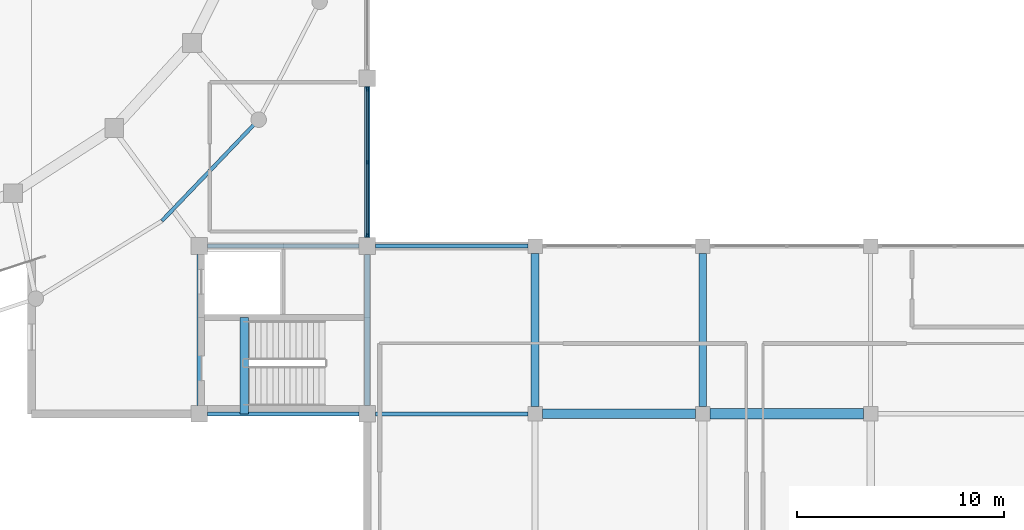
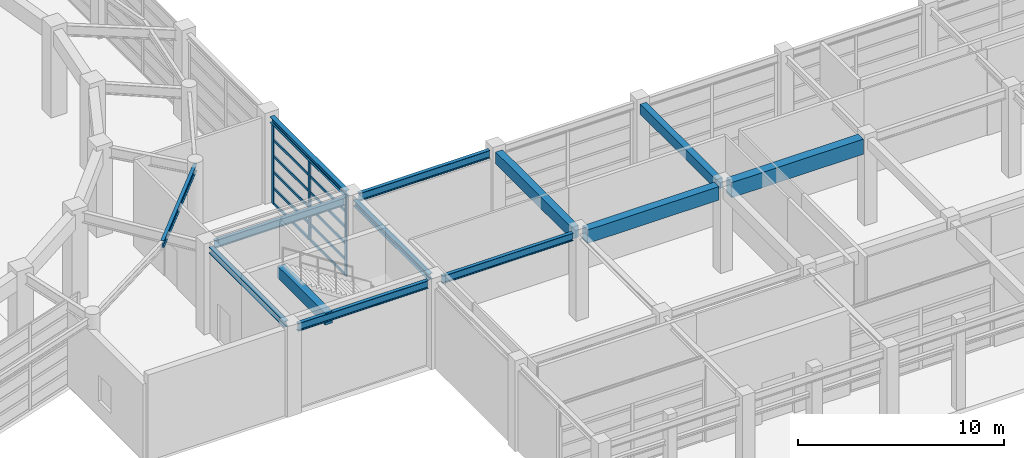
# One storey, part 10 of 52: 15 members, 13 beams, 1 element without a shape of its own.
"""IFC4 building model written with IfcOpenShell, lengths in metres."""

from ifc_helpers import new_model, si_unit, direction, frame, origin, origin_2d, place, context, subcontext, project, spatial, rectangle, i_section, extrude, material, material_profile, profile_set, type_object, element, aggregate, save


model = new_model("IFC4")

# Units and contexts
model_context = context("Model", 3, precision=1e-05, world=origin(), true_north=direction((0.0, 1.0)))
body_context = subcontext(model_context, "Body", "Model", "MODEL_VIEW")
ifc_project = project(units=[si_unit("LENGTHUNIT", "METRE"), si_unit("AREAUNIT", "SQUARE_METRE"), si_unit("VOLUMEUNIT", "CUBIC_METRE"), si_unit("PLANEANGLEUNIT", "RADIAN"), si_unit("MASSUNIT", "GRAM", prefix="KILO")], contexts=[model_context])

# Site, building, storey
site_placement = place(None, origin())
site = spatial("IfcSite", under=ifc_project, at=site_placement, CompositionType="ELEMENT")
building_placement = place(site_placement, origin())
building = spatial("IfcBuilding", under=site, at=building_placement, Name="Parian Resonance Hall", CompositionType="ELEMENT")
storey_placement = place(building_placement, origin())
storey = spatial("IfcBuildingStorey", under=building, at=storey_placement, Name="L00", CompositionType="ELEMENT", Elevation=0.0)

# Beams
ifc_material_1 = material(Name="Concrete C40/50", Category="concrete")
ifc_material_profile_1 = material_profile(ifc_material_1, rectangle(XDim=0.35009765625, YDim=0.60009765625, at=origin_2d()), Name="RC-BM-350x600")
ifc_profile_set_1 = profile_set([ifc_material_profile_1], Name="Concrete C40/50")
beam_type_1 = type_object("IfcBeamType", Name="BM-RC350x600", PredefinedType="BEAM", material=ifc_profile_set_1)
beam_1_placement = place(storey_placement, frame((89.10009765625, 16.550048828125, 4.800048828125), z_axis=(0.0, 1.0, 0.0), x_axis=(-1.0, 0.0, 0.0)))
element("IfcBeam", 1, at=beam_1_placement, inside=storey, type_object=beam_type_1, Name="GY-L00-0441", PredefinedType="BEAM", context=body_context, shape_type="SweptSolid", body=[
    extrude(rectangle(XDim=0.35009765625, YDim=0.60009765625, at=origin_2d()), origin(), (0.0, 0.0, 1.0), 7.39990234375),
])
ifc_material_2 = material(Name="Concrete C40/50", Category="concrete")
ifc_material_profile_2 = material_profile(ifc_material_2, rectangle(XDim=0.39990234375, YDim=0.699951171875, at=origin_2d()), Name="RC-BM-400x700")
ifc_profile_set_2 = profile_set([ifc_material_profile_2], Name="Concrete C40/50")
beam_type_2 = type_object("IfcBeamType", Name="BM-RC400x700", PredefinedType="BEAM", material=ifc_profile_set_2)
beam_2_placement = place(storey_placement, frame((81.0, 16.550048828125, 4.75), z_axis=(0.0, 1.0, 0.0), x_axis=(-1.0, 0.0, 0.0)))
element("IfcBeam", 2, at=beam_2_placement, inside=storey, type_object=beam_type_2, Name="GY-L00-0436", PredefinedType="BEAM", context=body_context, shape_type="SweptSolid", body=[
    extrude(rectangle(XDim=0.39990234375, YDim=0.699951171875, at=origin_2d()), origin(), (0.0, 0.0, 1.0), 7.39990234375),
])
beam_3_placement = place(storey_placement, frame((66.9599609375, 16.199951171875, 4.780029296875), z_axis=(0.0, 1.0, 0.0), x_axis=(-1.0, 0.0, 0.0)))
element("IfcBeam", 3, at=beam_3_placement, inside=storey, type_object=beam_type_2, Name="Core K3 stair arrival trimmer beam L00", PredefinedType="BEAM", context=body_context, shape_type="SweptSolid", body=[
    extrude(rectangle(XDim=0.39990234375, YDim=0.699951171875, at=origin_2d()), origin(), (0.0, 0.0, 1.0), 4.650146484375),
])
ifc_material_3 = material(Name="Concrete C40/50", Category="concrete")
ifc_material_profile_3 = material_profile(ifc_material_3, rectangle(XDim=0.449951171875, YDim=0.800048828125, at=origin_2d()), Name="RC-BM-450x800")
ifc_profile_set_3 = profile_set([ifc_material_profile_3], Name="Concrete C40/50")
beam_type_3 = type_object("IfcBeamType", Name="BM-RC450x800", PredefinedType="USERDEFINED", material=ifc_profile_set_3)
beam_4_placement = place(storey_placement, frame((81.35009765625, 16.199951171875, 4.699951171875), z_axis=(1.0, 0.0, 0.0), x_axis=(0.0, 1.0, 0.0)))
element("IfcBeam", 4, at=beam_4_placement, inside=storey, type_object=beam_type_3, Name="GX-L00-0318", ObjectType="GIRDER", PredefinedType="USERDEFINED", context=body_context, shape_type="SweptSolid", body=[
    extrude(rectangle(XDim=0.449951171875, YDim=0.800048828125, at=origin_2d()), origin(), (0.0, 0.0, 1.0), 7.39990234375),
])
ifc_material_4 = material(Name="Concrete C40/50", Category="concrete")
ifc_material_profile_4 = material_profile(ifc_material_4, rectangle(XDim=0.5, YDim=0.89990234375, at=origin_2d()), Name="RC-BM-500x900")
ifc_profile_set_4 = profile_set([ifc_material_profile_4], Name="Concrete C40/50")
beam_type_4 = type_object("IfcBeamType", Name="BM-RC500x900", PredefinedType="USERDEFINED", material=ifc_profile_set_4)
beam_5_placement = place(storey_placement, frame((89.449951171875, 16.199951171875, 4.64990234375), z_axis=(1.0, 0.0, 0.0), x_axis=(0.0, 1.0, 0.0)))
element("IfcBeam", 5, at=beam_5_placement, inside=storey, type_object=beam_type_4, Name="GX-L00-0325", ObjectType="GIRDER", PredefinedType="USERDEFINED", context=body_context, shape_type="SweptSolid", body=[
    extrude(rectangle(XDim=0.5, YDim=0.89990234375, at=origin_2d()), origin(), (0.0, 0.0, 1.0), 7.400146484375),
])
ifc_material_5 = material(Name="Steel S355", Category="steel")
ifc_material_profile_5 = material_profile(ifc_material_5, i_section(OverallWidth=0.2548828125, OverallDepth=0.35693359375, WebThickness=0.010498046875, FlangeThickness=0.018310546875, FilletRadius=0.01513671875, at=origin_2d()), Name="W360x101")
ifc_profile_set_5 = profile_set([ifc_material_profile_5], Name="Steel S355")
beam_type_5 = type_object("IfcBeamType", Name="BM-W360x101", PredefinedType="SPANDREL", material=ifc_profile_set_5)
for number, where, z_axis, x_axis, name in (
    (6, (64.800048828125, 16.60009765625, 4.951416015625), (0.0, 1.0, 0.0), (-1.0, 0.0, 0.0), "GY-L00-0424"),
    (7, (72.89990234375, 16.60009765625, 4.92138671875), (0.0, 1.0, 0.0), (-1.0, 0.0, 0.0), "GY-L00-0429"),
):
    element("IfcBeam", number, at=place(storey_placement, frame(where, z_axis=z_axis, x_axis=x_axis)), inside=storey, type_object=beam_type_5, Name=name, PredefinedType="SPANDREL", context=body_context, shape_type="SweptSolid", body=[
        extrude(i_section(OverallWidth=0.2548828125, OverallDepth=0.35693359375, WebThickness=0.010498046875, FlangeThickness=0.018310546875, FilletRadius=0.01513671875, at=origin_2d()), origin(), (0.0, 0.0, 1.0), 7.2998046875),
    ])
beam_6_placement = place(storey_placement, frame((72.89990234375, 24.699951171875, 4.951416015625), z_axis=(0.0, 1.0, 0.0), x_axis=(-1.0, 0.0, 0.0)))
element("IfcBeam", 8, at=beam_6_placement, inside=storey, type_object=beam_type_5, Name="GY-L00-0430", PredefinedType="SPANDREL", context=body_context, shape_type="SweptSolid", body=[
    extrude(i_section(OverallWidth=0.2548828125, OverallDepth=0.35693359375, WebThickness=0.010498046875, FlangeThickness=0.018310546875, FilletRadius=0.01513671875, at=origin_2d()), origin(), (0.0, 0.0, 1.0), 7.300048828125),
])
ifc_material_6 = material(Name="Steel S355", Category="steel")
ifc_material_profile_6 = material_profile(ifc_material_6, i_section(OverallWidth=0.180908203125, OverallDepth=0.4169921875, WebThickness=0.010986328125, FlangeThickness=0.018310546875, FilletRadius=0.01513671875, at=origin_2d()), Name="W410x85")
ifc_profile_set_6 = profile_set([ifc_material_profile_6], Name="Steel S355")
beam_type_6 = type_object("IfcBeamType", Name="BM-W410x85", PredefinedType="SPANDREL", material=ifc_profile_set_6)
beam_7_placement = place(storey_placement, frame((62.989013671875, 25.51220703125, 4.92138671875), z_axis=(0.690985683524, 0.722868442502, 0.0), x_axis=(-0.722868442502, 0.690985683524, 0.0)))
element("IfcBeam", 9, at=beam_7_placement, inside=storey, type_object=beam_type_6, Name="Elliptical R1 perimeter spandrel beam 22", PredefinedType="SPANDREL", context=body_context, shape_type="SweptSolid", body=[
    extrude(i_section(OverallWidth=0.180908203125, OverallDepth=0.4169921875, WebThickness=0.010986328125, FlangeThickness=0.018310546875, FilletRadius=0.01513671875, at=origin_2d()), origin(), (0.0, 0.0, 1.0), 6.761474609375),
])
ifc_material_7 = material(Name="Steel S355", Category="steel")
ifc_material_profile_7 = material_profile(ifc_material_7, i_section(OverallWidth=0.194091796875, OverallDepth=0.468994140625, WebThickness=0.0126953125, FlangeThickness=0.0205078125, FilletRadius=0.01513671875, at=origin_2d()), Name="W460x106")
ifc_profile_set_7 = profile_set([ifc_material_profile_7], Name="Steel S355")
beam_type_7 = type_object("IfcBeamType", Name="BM-W460x106", PredefinedType="SPANDREL", material=ifc_profile_set_7)
beam_8_placement = place(storey_placement, frame((65.199951171875, 16.199951171875, 4.8955078125), z_axis=(1.0, 0.0, 0.0), x_axis=(0.0, 1.0, 0.0)))
element("IfcBeam", 10, at=beam_8_placement, inside=storey, type_object=beam_type_7, Name="GX-L00-0304", PredefinedType="SPANDREL", context=body_context, shape_type="SweptSolid", body=[
    extrude(i_section(OverallWidth=0.194091796875, OverallDepth=0.468994140625, WebThickness=0.0126953125, FlangeThickness=0.0205078125, FilletRadius=0.01513671875, at=origin_2d()), origin(), (0.0, 0.0, 1.0), 7.300048828125),
])
beam_9_placement = place(storey_placement, frame((73.300048828125, 24.300048828125, 4.865478515625), z_axis=(1.0, 0.0, 0.0), x_axis=(0.0, 1.0, 0.0)))
element("IfcBeam", 11, at=beam_9_placement, inside=storey, type_object=beam_type_7, Name="GX-L00-0312", PredefinedType="SPANDREL", context=body_context, shape_type="SweptSolid", body=[
    extrude(i_section(OverallWidth=0.194091796875, OverallDepth=0.468994140625, WebThickness=0.0126953125, FlangeThickness=0.0205078125, FilletRadius=0.01513671875, at=origin_2d()), origin(), (0.0, 0.0, 1.0), 7.349853515625),
])
ifc_material_8 = material(Name="Steel S355", Category="steel")
ifc_material_profile_8 = material_profile(ifc_material_8, i_section(OverallWidth=0.19091796875, OverallDepth=0.4599609375, WebThickness=0.010009765625, FlangeThickness=0.01611328125, FilletRadius=0.01513671875, at=origin_2d()), Name="W460x82")
ifc_profile_set_8 = profile_set([ifc_material_profile_8], Name="Steel S355")
beam_type_8 = type_object("IfcBeamType", Name="BM-W460x82", PredefinedType="BEAM", material=ifc_profile_set_8)
beam_10_placement = place(storey_placement, frame((65.199951171875, 24.300048828125, 4.89990234375), z_axis=(1.0, 0.0, 0.0), x_axis=(0.0, 1.0, 0.0)))
element("IfcBeam", 12, at=beam_10_placement, inside=storey, type_object=beam_type_8, Name="GX-L00-0305", PredefinedType="BEAM", context=body_context, shape_type="SweptSolid", body=[
    extrude(i_section(OverallWidth=0.19091796875, OverallDepth=0.4599609375, WebThickness=0.010009765625, FlangeThickness=0.01611328125, FilletRadius=0.01513671875, at=origin_2d()), origin(), (0.0, 0.0, 1.0), 7.300048828125),
])
beam_11_placement = place(storey_placement, frame((73.300048828125, 16.199951171875, 4.8701171875), z_axis=(1.0, 0.0, 0.0), x_axis=(0.0, 1.0, 0.0)))
element("IfcBeam", 13, at=beam_11_placement, inside=storey, type_object=beam_type_8, Name="GX-L00-0311", PredefinedType="BEAM", context=body_context, shape_type="SweptSolid", body=[
    extrude(i_section(OverallWidth=0.19091796875, OverallDepth=0.4599609375, WebThickness=0.010009765625, FlangeThickness=0.01611328125, FilletRadius=0.01513671875, at=origin_2d()), origin(), (0.0, 0.0, 1.0), 7.349853515625),
])

# Curtain wall, members
ifc_material_9 = material(Name="Bronze-anodised aluminium frame", Category="aluminium")
curtain_wall_type = type_object("IfcCurtainWallType", Name="CW-SYS-04", PredefinedType="NOTDEFINED", material=ifc_material_9)
curtain_wall_placement = place(storey_placement, origin())
curtain_wall = element("IfcCurtainWall", 14, at=curtain_wall_placement, inside=storey, type_object=curtain_wall_type, Name="Curtain wall CW-L00-130", PredefinedType="NOTDEFINED")
ifc_material_10 = material(Name="Bronze-anodised aluminium frame", Category="aluminium")
ifc_material_profile_9 = material_profile(ifc_material_10, rectangle(XDim=0.074951171875, YDim=0.199951171875, at=origin_2d()), Name="CWM-75x200")
ifc_profile_set_9 = profile_set([ifc_material_profile_9], Name="Bronze-anodised aluminium frame")
member_type_1 = type_object("IfcMemberType", Name="CWM-75x200", PredefinedType="MULLION", material=ifc_profile_set_9)
member_1_placement = place(storey_placement, frame((72.89990234375, 31.882568359375, -0.008056640625), z_axis=(0.0, 0.0, 1.0), x_axis=(1.0, 0.0, 0.0)))
member_1 = element("IfcMember", 15, at=member_1_placement, type_object=member_type_1, Name="CW-04 mullion 1", PredefinedType="MULLION", context=body_context, shape_type="SweptSolid", body=[
    extrude(rectangle(XDim=0.074951171875, YDim=0.199951171875, at=origin_2d()), origin(), (0.0, 0.0, 1.0), 4.78515625),
])
member_2_placement = place(storey_placement, frame((72.89990234375, 28.35009765625, -0.008056640625), z_axis=(0.0, 0.0, 1.0), x_axis=(1.0, 0.0, 0.0)))
member_2 = element("IfcMember", 16, at=member_2_placement, type_object=member_type_1, Name="CW-04 mullion 2", PredefinedType="MULLION", context=body_context, shape_type="SweptSolid", body=[
    extrude(rectangle(XDim=0.074951171875, YDim=0.199951171875, at=origin_2d()), origin(), (0.0, 0.0, 1.0), 4.78515625),
])
member_3_placement = place(storey_placement, frame((72.89990234375, 24.8173828125, -0.008056640625), z_axis=(0.0, 0.0, 1.0), x_axis=(1.0, 0.0, 0.0)))
member_3 = element("IfcMember", 17, at=member_3_placement, type_object=member_type_1, Name="CW-04 mullion 3", PredefinedType="MULLION", context=body_context, shape_type="SweptSolid", body=[
    extrude(rectangle(XDim=0.074951171875, YDim=0.199951171875, at=origin_2d()), origin(), (0.0, 0.0, 1.0), 4.78515625),
])
ifc_material_11 = material(Name="Bronze-anodised aluminium frame", Category="aluminium")
ifc_material_profile_10 = material_profile(ifc_material_11, rectangle(XDim=0.074951171875, YDim=0.14990234375, at=origin_2d()), Name="CWT-75x150")
ifc_profile_set_10 = profile_set([ifc_material_profile_10], Name="Bronze-anodised aluminium frame")
member_type_2 = type_object("IfcMemberType", Name="CWT-75x150", PredefinedType="USERDEFINED", material=ifc_profile_set_10)
member_4_placement = place(storey_placement, frame((72.89990234375, 31.844970703125, 0.029541015625), z_axis=(0.0, -1.0, 0.0), x_axis=(1.0, 0.0, 0.0)))
member_4 = element("IfcMember", 18, at=member_4_placement, type_object=member_type_2, Name="CW-04 transom 1.1", ObjectType="TRANSOM", PredefinedType="USERDEFINED", context=body_context, shape_type="SweptSolid", body=[
    extrude(rectangle(XDim=0.074951171875, YDim=0.14990234375, at=origin_2d()), origin(), (0.0, 0.0, 1.0), 3.45751953125),
])
member_5_placement = place(storey_placement, frame((72.89990234375, 31.844970703125, 0.953369140625), z_axis=(0.0, -1.0, 0.0), x_axis=(1.0, 0.0, 0.0)))
member_5 = element("IfcMember", 19, at=member_5_placement, type_object=member_type_2, Name="CW-04 transom 1.2", ObjectType="TRANSOM", PredefinedType="USERDEFINED", context=body_context, shape_type="SweptSolid", body=[
    extrude(rectangle(XDim=0.074951171875, YDim=0.14990234375, at=origin_2d()), origin(), (0.0, 0.0, 1.0), 3.45751953125),
])
member_6_placement = place(storey_placement, frame((72.89990234375, 31.844970703125, 1.90673828125), z_axis=(0.0, -1.0, 0.0), x_axis=(1.0, 0.0, 0.0)))
member_6 = element("IfcMember", 20, at=member_6_placement, type_object=member_type_2, Name="CW-04 transom 1.3", ObjectType="TRANSOM", PredefinedType="USERDEFINED", context=body_context, shape_type="SweptSolid", body=[
    extrude(rectangle(XDim=0.074951171875, YDim=0.14990234375, at=origin_2d()), origin(), (0.0, 0.0, 1.0), 3.45751953125),
])
member_7_placement = place(storey_placement, frame((72.89990234375, 31.844970703125, 2.860107421875), z_axis=(0.0, -1.0, 0.0), x_axis=(1.0, 0.0, 0.0)))
member_7 = element("IfcMember", 21, at=member_7_placement, type_object=member_type_2, Name="CW-04 transom 1.4", ObjectType="TRANSOM", PredefinedType="USERDEFINED", context=body_context, shape_type="SweptSolid", body=[
    extrude(rectangle(XDim=0.074951171875, YDim=0.14990234375, at=origin_2d()), origin(), (0.0, 0.0, 1.0), 3.45751953125),
])
member_8_placement = place(storey_placement, frame((72.89990234375, 31.844970703125, 3.813720703125), z_axis=(0.0, -1.0, 0.0), x_axis=(1.0, 0.0, 0.0)))
member_8 = element("IfcMember", 22, at=member_8_placement, type_object=member_type_2, Name="CW-04 transom 1.5", ObjectType="TRANSOM", PredefinedType="USERDEFINED", context=body_context, shape_type="SweptSolid", body=[
    extrude(rectangle(XDim=0.074951171875, YDim=0.14990234375, at=origin_2d()), origin(), (0.0, 0.0, 1.0), 3.45751953125),
])
member_9_placement = place(storey_placement, frame((72.89990234375, 31.844970703125, 4.739501953125), z_axis=(0.0, -1.0, 0.0), x_axis=(1.0, 0.0, 0.0)))
member_9 = element("IfcMember", 23, at=member_9_placement, type_object=member_type_2, Name="CW-04 transom 1.6", ObjectType="TRANSOM", PredefinedType="USERDEFINED", context=body_context, shape_type="SweptSolid", body=[
    extrude(rectangle(XDim=0.074951171875, YDim=0.14990234375, at=origin_2d()), origin(), (0.0, 0.0, 1.0), 3.45751953125),
])
member_10_placement = place(storey_placement, frame((72.89990234375, 28.3125, 0.029541015625), z_axis=(0.0, -1.0, 0.0), x_axis=(1.0, 0.0, 0.0)))
member_10 = element("IfcMember", 24, at=member_10_placement, type_object=member_type_2, Name="CW-04 transom 2.1", ObjectType="TRANSOM", PredefinedType="USERDEFINED", context=body_context, shape_type="SweptSolid", body=[
    extrude(rectangle(XDim=0.074951171875, YDim=0.14990234375, at=origin_2d()), origin(), (0.0, 0.0, 1.0), 3.45751953125),
])
member_11_placement = place(storey_placement, frame((72.89990234375, 28.3125, 0.953369140625), z_axis=(0.0, -1.0, 0.0), x_axis=(1.0, 0.0, 0.0)))
member_11 = element("IfcMember", 25, at=member_11_placement, type_object=member_type_2, Name="CW-04 transom 2.2", ObjectType="TRANSOM", PredefinedType="USERDEFINED", context=body_context, shape_type="SweptSolid", body=[
    extrude(rectangle(XDim=0.074951171875, YDim=0.14990234375, at=origin_2d()), origin(), (0.0, 0.0, 1.0), 3.45751953125),
])
member_12_placement = place(storey_placement, frame((72.89990234375, 28.3125, 1.90673828125), z_axis=(0.0, -1.0, 0.0), x_axis=(1.0, 0.0, 0.0)))
member_12 = element("IfcMember", 26, at=member_12_placement, type_object=member_type_2, Name="CW-04 transom 2.3", ObjectType="TRANSOM", PredefinedType="USERDEFINED", context=body_context, shape_type="SweptSolid", body=[
    extrude(rectangle(XDim=0.074951171875, YDim=0.14990234375, at=origin_2d()), origin(), (0.0, 0.0, 1.0), 3.45751953125),
])
member_13_placement = place(storey_placement, frame((72.89990234375, 28.3125, 2.860107421875), z_axis=(0.0, -1.0, 0.0), x_axis=(1.0, 0.0, 0.0)))
member_13 = element("IfcMember", 27, at=member_13_placement, type_object=member_type_2, Name="CW-04 transom 2.4", ObjectType="TRANSOM", PredefinedType="USERDEFINED", context=body_context, shape_type="SweptSolid", body=[
    extrude(rectangle(XDim=0.074951171875, YDim=0.14990234375, at=origin_2d()), origin(), (0.0, 0.0, 1.0), 3.45751953125),
])
member_14_placement = place(storey_placement, frame((72.89990234375, 28.3125, 3.813720703125), z_axis=(0.0, -1.0, 0.0), x_axis=(1.0, 0.0, 0.0)))
member_14 = element("IfcMember", 28, at=member_14_placement, type_object=member_type_2, Name="CW-04 transom 2.5", ObjectType="TRANSOM", PredefinedType="USERDEFINED", context=body_context, shape_type="SweptSolid", body=[
    extrude(rectangle(XDim=0.074951171875, YDim=0.14990234375, at=origin_2d()), origin(), (0.0, 0.0, 1.0), 3.45751953125),
])
member_15_placement = place(storey_placement, frame((72.89990234375, 28.3125, 4.739501953125), z_axis=(0.0, -1.0, 0.0), x_axis=(1.0, 0.0, 0.0)))
member_15 = element("IfcMember", 29, at=member_15_placement, type_object=member_type_2, Name="CW-04 transom 2.6", ObjectType="TRANSOM", PredefinedType="USERDEFINED", context=body_context, shape_type="SweptSolid", body=[
    extrude(rectangle(XDim=0.074951171875, YDim=0.14990234375, at=origin_2d()), origin(), (0.0, 0.0, 1.0), 3.45751953125),
])
aggregate(curtain_wall, [member_1, member_2, member_3, member_4, member_5, member_6, member_7, member_8, member_9, member_10, member_11, member_12, member_13, member_14, member_15])

save(model, "model.ifc")
